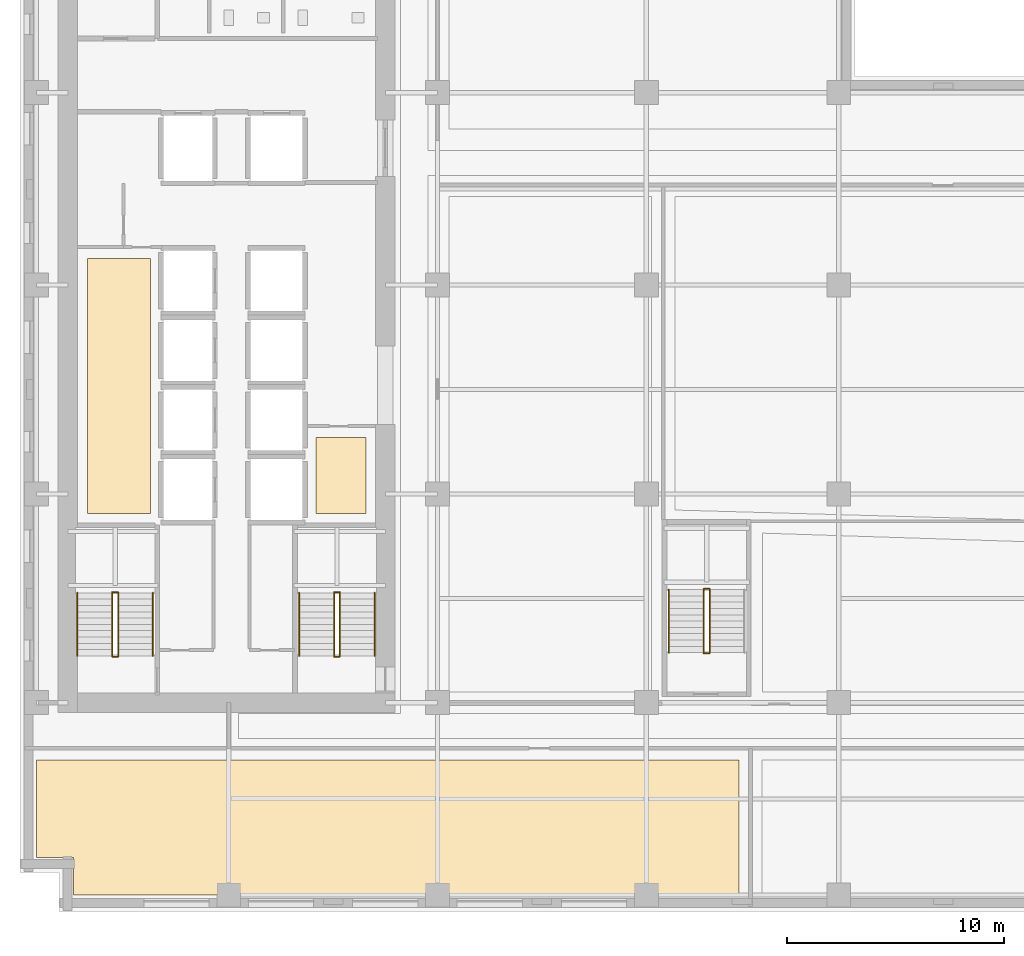
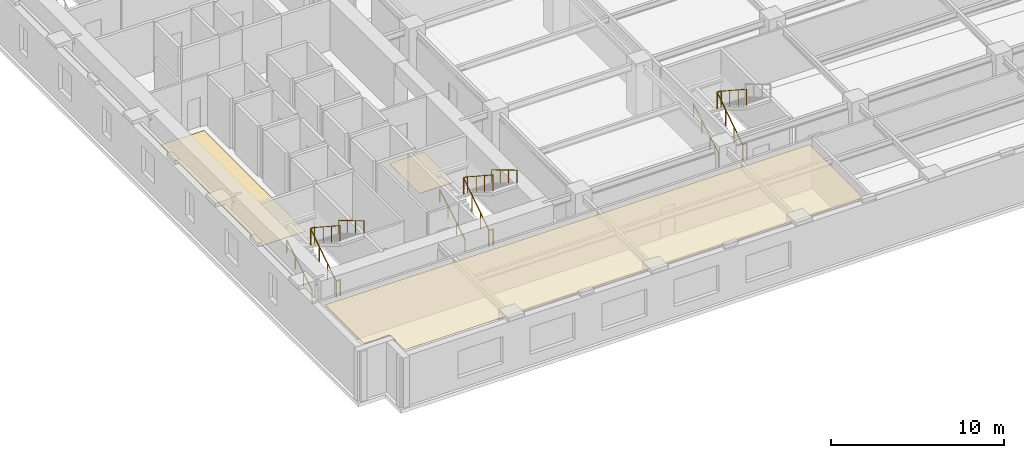
# One storey, part 9 of 13: 17 railings, 3 coverings.
"""IFC4 building model written with IfcOpenShell, lengths in metres."""

from ifc_helpers import new_model, si_unit, direction, frame, origin, origin_2d, place, context, subcontext, project, spatial, polyline, circle, outline, extrude, material, layer, layer_set, type_object, element, save


model = new_model("IFC4")

# Units and contexts
model_context = context("Model", 3, precision=1e-05, world=origin(), true_north=direction((0.0, 1.0)))
body_context = subcontext(model_context, "Body", "Model", "MODEL_VIEW")
ifc_project = project(units=[si_unit("LENGTHUNIT", "METRE"), si_unit("AREAUNIT", "SQUARE_METRE"), si_unit("VOLUMEUNIT", "CUBIC_METRE"), si_unit("PLANEANGLEUNIT", "RADIAN"), si_unit("MASSUNIT", "GRAM", prefix="KILO")], contexts=[model_context])

# Site, building, storey
site_placement = place(None, origin())
site = spatial("IfcSite", under=ifc_project, at=site_placement, CompositionType="ELEMENT")
building_placement = place(site_placement, origin())
building = spatial("IfcBuilding", under=site, at=building_placement, Name="Norrvale University Quadrangle", CompositionType="ELEMENT")
storey_placement = place(building_placement, frame((0.0, 0.0, 85.0)))
storey = spatial("IfcBuildingStorey", under=building, at=storey_placement, Name="L21", CompositionType="ELEMENT", Elevation=85.0)

# Coverings
ifc_material_1 = material(Name="Perforated Acoustic Mineral Ceiling")
ifc_layer_1 = layer(ifc_material_1, 0.02490234375, Name="Perforated Acoustic Mineral Ceiling")
ifc_layer_set_1 = layer_set([ifc_layer_1], Name="Perforated Acoustic Mineral Ceiling")
covering_type_1 = type_object("IfcCoveringType", Name="Covering Acoustic Ceiling 25", PredefinedType="CEILING", material=ifc_layer_set_1)
covering_1_placement = place(storey_placement, frame((0.0, 0.0, 3.514892578125)))
element("IfcCovering", 1, at=covering_1_placement, inside=storey, type_object=covering_type_1, Name="Acoustic Ceiling RM-L21-S01", PredefinedType="CEILING", context=body_context, shape_type="SweptSolid", body=[
    extrude(outline(polyline([(0.75, 6.969970703125), (33.070068359375, 6.969970703125), (33.070068359375, 0.75), (2.469970703125, 0.75), (2.469970703125, 2.469970703125), (0.75, 2.469970703125), (0.75, 6.969970703125)])), origin(), (0.0, 0.0, 1.0), 0.025146484375),
])
ifc_material_2 = material(Name="Polished Terrazzo Flooring")
ifc_layer_2 = layer(ifc_material_2, 0.02490234375, Name="Polished Terrazzo Flooring")
ifc_layer_set_2 = layer_set([ifc_layer_2], Name="Polished Terrazzo Flooring")
covering_type_2 = type_object("IfcCoveringType", Name="Covering Terrazzo Floor 30", PredefinedType="FLOORING", material=ifc_layer_set_2)
covering_2_placement = place(storey_placement, origin())
element("IfcCovering", 2, at=covering_2_placement, inside=storey, type_object=covering_type_2, Name="Terrazzo Flooring RM-L21-JAN", PredefinedType="FLOORING", context=body_context, shape_type="SweptSolid", body=[
    extrude(outline(polyline([(13.60009765625, 18.300048828125), (13.60009765625, 21.800048828125), (15.89990234375, 21.800048828125), (15.89990234375, 18.300048828125), (13.60009765625, 18.300048828125)])), origin(), (0.0, 0.0, 1.0), 0.02490234375),
])
covering_3_placement = place(storey_placement, origin())
element("IfcCovering", 3, at=covering_3_placement, inside=storey, type_object=covering_type_2, Name="Terrazzo Flooring RM-L21-WSTOR", PredefinedType="FLOORING", context=body_context, shape_type="SweptSolid", body=[
    extrude(outline(polyline([(3.10009765625, 18.300048828125), (3.10009765625, 30.030029296875), (6.0, 30.030029296875), (6.0, 18.300048828125), (3.10009765625, 18.300048828125)])), origin(), (0.0, 0.0, 1.0), 0.02490234375),
])

# Railings
ifc_material_3 = material(Name="Steel 350W Painted Balustrade", Category="steel")
railing_type_1 = type_object("IfcRailingType", Name="Railing Stair Guard 1100", PredefinedType="GUARDRAIL", material=ifc_material_3)
for number, where, name in (
    (4, (4.239990234375, 11.719970703125, 0.0), "Stair Floor Well Guard ST-01 L21"),
    (5, (4.239990234375, 14.679931640625, 1.89990234375), "Stair Mid-Landing Slot Guard ST-01 L21"),
):
    element("IfcRailing", number, at=place(storey_placement, frame(where)), inside=storey, type_object=railing_type_1, Name=name, PredefinedType="GUARDRAIL", context=body_context, shape_type="SweptSolid", body=[
        extrude(circle(Radius=0.02392578125, at=origin_2d()), frame((0.0, 0.0, 1.1259765625), z_axis=(1.0, 0.0, 0.0), x_axis=(0.0, 1.0, 0.0)), (0.0, 0.0, 1.0), 0.27001953125),
        extrude(circle(Radius=0.02099609375, at=origin_2d()), origin(), (0.0, 0.0, 1.0), 1.101806640625),
        extrude(circle(Radius=0.02099609375, at=origin_2d()), frame((0.27001953125, 0.0, 0.0)), (0.0, 0.0, 1.0), 1.101806640625),
    ])
railing_1_placement = place(storey_placement, frame((4.239990234375, 11.75, 0.0)))
element("IfcRailing", 6, at=railing_1_placement, inside=storey, type_object=railing_type_1, Name="Stair Lower Flight Inner Guard ST-01 L21", PredefinedType="GUARDRAIL", context=body_context, shape_type="SweptSolid", body=[
    extrude(circle(Radius=0.02392578125, at=origin_2d()), frame((0.0, 0.0, 1.1259765625), z_axis=(0.0, 0.836465582154, 0.548019461216), x_axis=(-1.0, 0.0, 0.0)), (0.0, 0.0, 1.0), 3.466796875),
    extrude(circle(Radius=0.02099609375, at=origin_2d()), origin(), (0.0, 0.0, 1.0), 1.101806640625),
    extrude(circle(Radius=0.02099609375, at=origin_2d()), frame((0.0, 0.966552734375, 0.63330078125)), (0.0, 0.0, 1.0), 1.101806640625),
    extrude(circle(Radius=0.02099609375, at=origin_2d()), frame((0.0, 1.933349609375, 1.2666015625)), (0.0, 0.0, 1.0), 1.101806640625),
    extrude(circle(Radius=0.02099609375, at=origin_2d()), frame((0.0, 2.89990234375, 1.89990234375)), (0.0, 0.0, 1.0), 1.101806640625),
])
railing_2_placement = place(storey_placement, frame((4.510009765625, 14.64990234375, 1.89990234375)))
element("IfcRailing", 7, at=railing_2_placement, inside=storey, type_object=railing_type_1, Name="Stair Upper Flight Inner Guard ST-01 L21", PredefinedType="GUARDRAIL", context=body_context, shape_type="SweptSolid", body=[
    extrude(circle(Radius=0.02392578125, at=origin_2d()), frame((0.0, 0.0, 1.1259765625), z_axis=(0.0, -0.836433300813, 0.548068730445), x_axis=(1.0, 0.0, 0.0)), (0.0, 0.0, 1.0), 3.467041015625),
    extrude(circle(Radius=0.02099609375, at=origin_2d()), origin(), (0.0, 0.0, 1.0), 1.101806640625),
    extrude(circle(Radius=0.02099609375, at=origin_2d()), frame((0.0, -0.966552734375, 0.63330078125)), (0.0, 0.0, 1.0), 1.101806640625),
    extrude(circle(Radius=0.02099609375, at=origin_2d()), frame((0.0, -1.933349609375, 1.266845703125)), (0.0, 0.0, 1.0), 1.101806640625),
    extrude(circle(Radius=0.02099609375, at=origin_2d()), frame((0.0, -2.89990234375, 1.900146484375)), (0.0, 0.0, 1.0), 1.101806640625),
])
for number, where, name in (
    (8, (14.43994140625, 11.719970703125, 0.0), "Stair Floor Well Guard ST-03 L21"),
    (9, (14.43994140625, 14.679931640625, 1.89990234375), "Stair Mid-Landing Slot Guard ST-03 L21"),
):
    element("IfcRailing", number, at=place(storey_placement, frame(where)), inside=storey, type_object=railing_type_1, Name=name, PredefinedType="GUARDRAIL", context=body_context, shape_type="SweptSolid", body=[
        extrude(circle(Radius=0.02392578125, at=origin_2d()), frame((0.0, 0.0, 1.1259765625), z_axis=(1.0, 0.0, 0.0), x_axis=(0.0, 1.0, 0.0)), (0.0, 0.0, 1.0), 0.27001953125),
        extrude(circle(Radius=0.02099609375, at=origin_2d()), origin(), (0.0, 0.0, 1.0), 1.101806640625),
        extrude(circle(Radius=0.02099609375, at=origin_2d()), frame((0.27001953125, 0.0, 0.0)), (0.0, 0.0, 1.0), 1.101806640625),
    ])
railing_3_placement = place(storey_placement, frame((14.43994140625, 11.75, 0.0)))
element("IfcRailing", 10, at=railing_3_placement, inside=storey, type_object=railing_type_1, Name="Stair Lower Flight Inner Guard ST-03 L21", PredefinedType="GUARDRAIL", context=body_context, shape_type="SweptSolid", body=[
    extrude(circle(Radius=0.02392578125, at=origin_2d()), frame((0.0, 0.0, 1.1259765625), z_axis=(0.0, 0.836465582154, 0.548019461216), x_axis=(-1.0, 0.0, 0.0)), (0.0, 0.0, 1.0), 3.466796875),
    extrude(circle(Radius=0.02099609375, at=origin_2d()), origin(), (0.0, 0.0, 1.0), 1.101806640625),
    extrude(circle(Radius=0.02099609375, at=origin_2d()), frame((0.0, 0.966552734375, 0.63330078125)), (0.0, 0.0, 1.0), 1.101806640625),
    extrude(circle(Radius=0.02099609375, at=origin_2d()), frame((0.0, 1.933349609375, 1.2666015625)), (0.0, 0.0, 1.0), 1.101806640625),
    extrude(circle(Radius=0.02099609375, at=origin_2d()), frame((0.0, 2.89990234375, 1.89990234375)), (0.0, 0.0, 1.0), 1.101806640625),
])
railing_4_placement = place(storey_placement, frame((14.7099609375, 14.64990234375, 1.89990234375)))
element("IfcRailing", 11, at=railing_4_placement, inside=storey, type_object=railing_type_1, Name="Stair Upper Flight Inner Guard ST-03 L21", PredefinedType="GUARDRAIL", context=body_context, shape_type="SweptSolid", body=[
    extrude(circle(Radius=0.02392578125, at=origin_2d()), frame((0.0, 0.0, 1.1259765625), z_axis=(0.0, -0.836433300813, 0.548068730445), x_axis=(1.0, 0.0, 0.0)), (0.0, 0.0, 1.0), 3.467041015625),
    extrude(circle(Radius=0.02099609375, at=origin_2d()), origin(), (0.0, 0.0, 1.0), 1.101806640625),
    extrude(circle(Radius=0.02099609375, at=origin_2d()), frame((0.0, -0.966552734375, 0.63330078125)), (0.0, 0.0, 1.0), 1.101806640625),
    extrude(circle(Radius=0.02099609375, at=origin_2d()), frame((0.0, -1.933349609375, 1.266845703125)), (0.0, 0.0, 1.0), 1.101806640625),
    extrude(circle(Radius=0.02099609375, at=origin_2d()), frame((0.0, -2.89990234375, 1.900146484375)), (0.0, 0.0, 1.0), 1.101806640625),
])
for number, where, name in (
    (12, (31.43994140625, 11.8701171875, 0.0), "Stair Floor Well Guard ST-04 L21"),
    (13, (31.43994140625, 14.830078125, 1.89990234375), "Stair Mid-Landing Slot Guard ST-04 L21"),
):
    element("IfcRailing", number, at=place(storey_placement, frame(where)), inside=storey, type_object=railing_type_1, Name=name, PredefinedType="GUARDRAIL", context=body_context, shape_type="SweptSolid", body=[
        extrude(circle(Radius=0.02392578125, at=origin_2d()), frame((0.0, 0.0, 1.1259765625), z_axis=(1.0, 0.0, 0.0), x_axis=(0.0, 1.0, 0.0)), (0.0, 0.0, 1.0), 0.27001953125),
        extrude(circle(Radius=0.02099609375, at=origin_2d()), origin(), (0.0, 0.0, 1.0), 1.101806640625),
        extrude(circle(Radius=0.02099609375, at=origin_2d()), frame((0.27001953125, 0.0, 0.0)), (0.0, 0.0, 1.0), 1.101806640625),
    ])
railing_5_placement = place(storey_placement, frame((31.43994140625, 11.89990234375, 0.0)))
element("IfcRailing", 14, at=railing_5_placement, inside=storey, type_object=railing_type_1, Name="Stair Lower Flight Inner Guard ST-04 L21", PredefinedType="GUARDRAIL", context=body_context, shape_type="SweptSolid", body=[
    extrude(circle(Radius=0.02392578125, at=origin_2d()), frame((0.0, 0.0, 1.1259765625), z_axis=(0.0, 0.836486729621, 0.547987181573), x_axis=(-1.0, 0.0, 0.0)), (0.0, 0.0, 1.0), 3.467041015625),
    extrude(circle(Radius=0.02099609375, at=origin_2d()), origin(), (0.0, 0.0, 1.0), 1.101806640625),
    extrude(circle(Radius=0.02099609375, at=origin_2d()), frame((0.0, 0.966796875, 0.63330078125)), (0.0, 0.0, 1.0), 1.101806640625),
    extrude(circle(Radius=0.02099609375, at=origin_2d()), frame((0.0, 1.933349609375, 1.2666015625)), (0.0, 0.0, 1.0), 1.101806640625),
    extrude(circle(Radius=0.02099609375, at=origin_2d()), frame((0.0, 2.900146484375, 1.89990234375)), (0.0, 0.0, 1.0), 1.101806640625),
])
railing_6_placement = place(storey_placement, frame((31.7099609375, 14.800048828125, 1.89990234375)))
element("IfcRailing", 15, at=railing_6_placement, inside=storey, type_object=railing_type_1, Name="Stair Upper Flight Inner Guard ST-04 L21", PredefinedType="GUARDRAIL", context=body_context, shape_type="SweptSolid", body=[
    extrude(circle(Radius=0.02392578125, at=origin_2d()), frame((0.0, 0.0, 1.1259765625), z_axis=(0.0, -0.836454451266, 0.548036450392), x_axis=(1.0, 0.0, 0.0)), (0.0, 0.0, 1.0), 3.46728515625),
    extrude(circle(Radius=0.02099609375, at=origin_2d()), origin(), (0.0, 0.0, 1.0), 1.101806640625),
    extrude(circle(Radius=0.02099609375, at=origin_2d()), frame((0.0, -0.966796875, 0.63330078125)), (0.0, 0.0, 1.0), 1.101806640625),
    extrude(circle(Radius=0.02099609375, at=origin_2d()), frame((0.0, -1.933349609375, 1.266845703125)), (0.0, 0.0, 1.0), 1.101806640625),
    extrude(circle(Radius=0.02099609375, at=origin_2d()), frame((0.0, -2.900146484375, 1.900146484375)), (0.0, 0.0, 1.0), 1.101806640625),
])
ifc_material_4 = material(Name="Stainless Steel 316L Handrail", Category="steel")
railing_type_2 = type_object("IfcRailingType", Name="Railing Stair Handrail 920", PredefinedType="HANDRAIL", material=ifc_material_4)
railing_7_placement = place(storey_placement, frame((2.639892578125, 11.75, 0.172607421875)))
element("IfcRailing", 16, at=railing_7_placement, inside=storey, type_object=railing_type_2, Name="Stair Lower Flight Handrail ST-01 L21", PredefinedType="HANDRAIL", context=body_context, shape_type="SweptSolid", body=[
    extrude(circle(Radius=0.02392578125, at=origin_2d()), frame((0.0, 0.0, 0.89599609375), z_axis=(0.0, 0.859141464434, 0.511738159696), x_axis=(-1.0, 0.0, 0.0)), (0.0, 0.0, 1.0), 3.375244140625),
    extrude(circle(Radius=0.02099609375, at=origin_2d()), origin(), (0.0, 0.0, 1.0), 0.871826171875),
    extrude(circle(Radius=0.02099609375, at=origin_2d()), frame((0.0, 0.966552734375, 0.57568359375)), (0.0, 0.0, 1.0), 0.871826171875),
    extrude(circle(Radius=0.02099609375, at=origin_2d()), frame((0.0, 1.933349609375, 1.151611328125)), (0.0, 0.0, 1.0), 0.871826171875),
    extrude(circle(Radius=0.02099609375, at=origin_2d()), frame((0.0, 2.89990234375, 1.727294921875)), (0.0, 0.0, 1.0), 0.871826171875),
])
railing_8_placement = place(storey_placement, frame((6.110107421875, 14.64990234375, 2.07275390625)))
element("IfcRailing", 17, at=railing_8_placement, inside=storey, type_object=railing_type_2, Name="Stair Upper Flight Handrail ST-01 L21", PredefinedType="HANDRAIL", context=body_context, shape_type="SweptSolid", body=[
    extrude(circle(Radius=0.02392578125, at=origin_2d()), frame((0.0, 0.0, 0.89599609375), z_axis=(0.0, -0.859141464434, 0.511738159696), x_axis=(1.0, 0.0, 0.0)), (0.0, 0.0, 1.0), 3.375244140625),
    extrude(circle(Radius=0.02099609375, at=origin_2d()), origin(), (0.0, 0.0, 1.0), 0.871826171875),
    extrude(circle(Radius=0.02099609375, at=origin_2d()), frame((0.0, -0.966552734375, 0.57568359375)), (0.0, 0.0, 1.0), 0.871826171875),
    extrude(circle(Radius=0.02099609375, at=origin_2d()), frame((0.0, -1.933349609375, 1.151611328125)), (0.0, 0.0, 1.0), 0.871826171875),
    extrude(circle(Radius=0.02099609375, at=origin_2d()), frame((0.0, -2.89990234375, 1.727294921875)), (0.0, 0.0, 1.0), 0.871826171875),
])
railing_9_placement = place(storey_placement, frame((12.840087890625, 11.75, 0.172607421875)))
element("IfcRailing", 18, at=railing_9_placement, inside=storey, type_object=railing_type_2, Name="Stair Lower Flight Handrail ST-03 L21", PredefinedType="HANDRAIL", context=body_context, shape_type="SweptSolid", body=[
    extrude(circle(Radius=0.02392578125, at=origin_2d()), frame((0.0, 0.0, 0.89599609375), z_axis=(0.0, 0.859141464434, 0.511738159696), x_axis=(-1.0, 0.0, 0.0)), (0.0, 0.0, 1.0), 3.375244140625),
    extrude(circle(Radius=0.02099609375, at=origin_2d()), origin(), (0.0, 0.0, 1.0), 0.871826171875),
    extrude(circle(Radius=0.02099609375, at=origin_2d()), frame((0.0, 0.966552734375, 0.57568359375)), (0.0, 0.0, 1.0), 0.871826171875),
    extrude(circle(Radius=0.02099609375, at=origin_2d()), frame((0.0, 1.933349609375, 1.151611328125)), (0.0, 0.0, 1.0), 0.871826171875),
    extrude(circle(Radius=0.02099609375, at=origin_2d()), frame((0.0, 2.89990234375, 1.727294921875)), (0.0, 0.0, 1.0), 0.871826171875),
])
railing_10_placement = place(storey_placement, frame((16.31005859375, 14.64990234375, 2.07275390625)))
element("IfcRailing", 19, at=railing_10_placement, inside=storey, type_object=railing_type_2, Name="Stair Upper Flight Handrail ST-03 L21", PredefinedType="HANDRAIL", context=body_context, shape_type="SweptSolid", body=[
    extrude(circle(Radius=0.02392578125, at=origin_2d()), frame((0.0, 0.0, 0.89599609375), z_axis=(0.0, -0.859141464434, 0.511738159696), x_axis=(1.0, 0.0, 0.0)), (0.0, 0.0, 1.0), 3.375244140625),
    extrude(circle(Radius=0.02099609375, at=origin_2d()), origin(), (0.0, 0.0, 1.0), 0.871826171875),
    extrude(circle(Radius=0.02099609375, at=origin_2d()), frame((0.0, -0.966552734375, 0.57568359375)), (0.0, 0.0, 1.0), 0.871826171875),
    extrude(circle(Radius=0.02099609375, at=origin_2d()), frame((0.0, -1.933349609375, 1.151611328125)), (0.0, 0.0, 1.0), 0.871826171875),
    extrude(circle(Radius=0.02099609375, at=origin_2d()), frame((0.0, -2.89990234375, 1.727294921875)), (0.0, 0.0, 1.0), 0.871826171875),
])
railing_11_placement = place(storey_placement, frame((29.840087890625, 11.89990234375, 0.172607421875)))
element("IfcRailing", 20, at=railing_11_placement, inside=storey, type_object=railing_type_2, Name="Stair Lower Flight Handrail ST-04 L21", PredefinedType="HANDRAIL", context=body_context, shape_type="SweptSolid", body=[
    extrude(circle(Radius=0.02392578125, at=origin_2d()), frame((0.0, 0.0, 0.89599609375), z_axis=(0.0, 0.859160404282, 0.51170636083), x_axis=(-1.0, 0.0, 0.0)), (0.0, 0.0, 1.0), 3.37548828125),
    extrude(circle(Radius=0.02099609375, at=origin_2d()), origin(), (0.0, 0.0, 1.0), 0.871826171875),
    extrude(circle(Radius=0.02099609375, at=origin_2d()), frame((0.0, 0.966796875, 0.57568359375)), (0.0, 0.0, 1.0), 0.871826171875),
    extrude(circle(Radius=0.02099609375, at=origin_2d()), frame((0.0, 1.933349609375, 1.151611328125)), (0.0, 0.0, 1.0), 0.871826171875),
    extrude(circle(Radius=0.02099609375, at=origin_2d()), frame((0.0, 2.900146484375, 1.727294921875)), (0.0, 0.0, 1.0), 0.871826171875),
])

save(model, "model.ifc")
